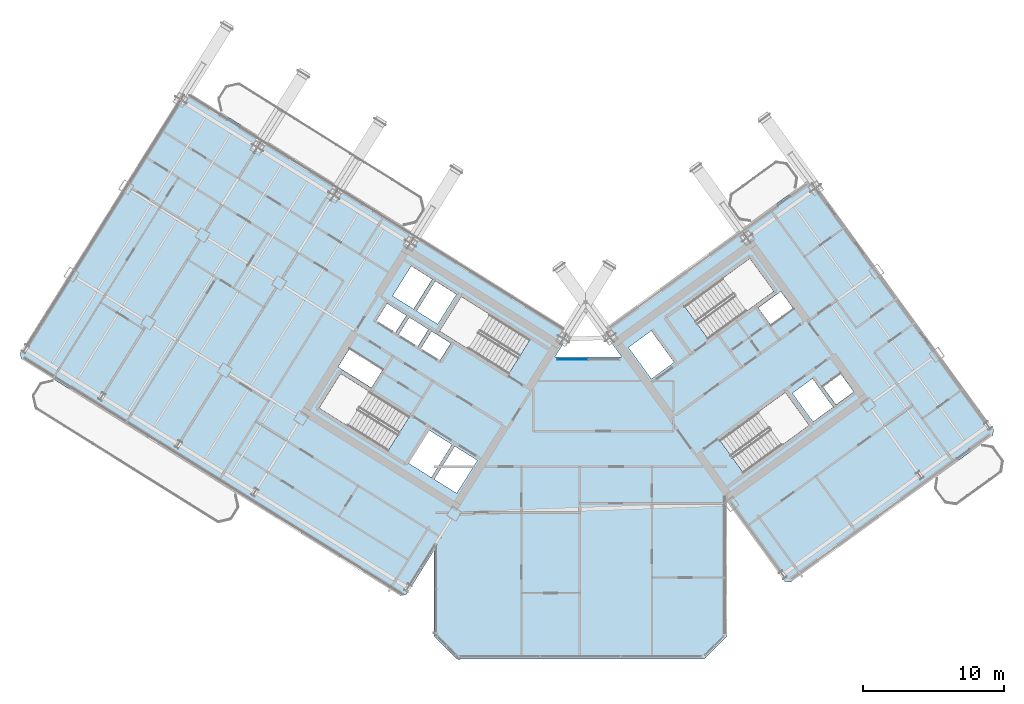
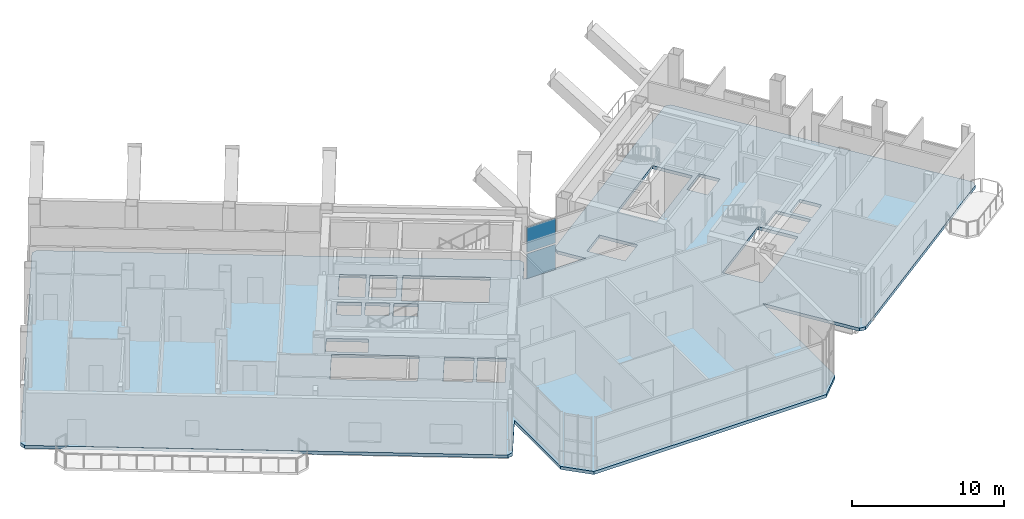
# One storey, part 15 of 34: 2 plates, 1 slab, 1 element without a shape of its own.
"""IFC4 building model written with IfcOpenShell, lengths in metres."""

from ifc_helpers import new_model, si_unit, direction, frame, origin, origin_2d, place, context, subcontext, project, spatial, polyline, rectangle, outline, extrude, source, transform, mapped, material, layer, layer_set, type_object, element, aggregate, save


model = new_model("IFC4")

# Units and contexts
model_context = context("Model", 3, precision=1e-05, world=origin(), true_north=direction((0.0, 1.0)))
body_context = subcontext(model_context, "Body", "Model", "MODEL_VIEW")
ifc_project = project(units=[si_unit("LENGTHUNIT", "METRE"), si_unit("AREAUNIT", "SQUARE_METRE"), si_unit("VOLUMEUNIT", "CUBIC_METRE"), si_unit("PLANEANGLEUNIT", "RADIAN"), si_unit("MASSUNIT", "GRAM", prefix="KILO")], contexts=[model_context])

# Site, building, storey
site_placement = place(None, origin())
site = spatial("IfcSite", under=ifc_project, at=site_placement, CompositionType="ELEMENT")
building_placement = place(site_placement, origin())
building = spatial("IfcBuilding", under=site, at=building_placement, Name="Tlacorven Tower", CompositionType="ELEMENT")
storey_placement = place(building_placement, frame((0.0, 0.0, 174.89990234375)))
storey = spatial("IfcBuildingStorey", under=building, at=storey_placement, Name="L44", CompositionType="ELEMENT", Elevation=174.89990234375)

# Slab
ifc_material_1 = material(Name="Concrete C40/50", Category="concrete")
ifc_layer_1 = layer(ifc_material_1, 0.25)
ifc_layer_set_1 = layer_set([ifc_layer_1], Name="Concrete C40/50")
slab_type = type_object("IfcSlabType", Name="SL-TWR-250", PredefinedType="FLOOR", material=ifc_layer_set_1)
slab_placement = place(storey_placement, frame((0.0, 0.0, -0.25)))
element("IfcSlab", 1, at=slab_placement, inside=storey, type_object=slab_type, Name="L44 Boomerang Tower Floor Slab", PredefinedType="FLOOR", context=body_context, shape_type="SweptSolid", body=[
    extrude(outline(polyline([(52.39990234375, 3.39990234375), (50.800048828125, 1.800048828125), (33.199951171875, 1.800048828125), (31.60009765625, 3.39990234375), (31.60009765625, 9.470703125), (29.652587890625, 6.35400390625), (29.2392578125, 6.258544921875), (2.339111328125, 23.067626953125), (2.24365234375, 23.481201171875), (13.75341796875, 41.900634765625), (14.1669921875, 41.99609375), (41.06689453125, 25.18701171875), (41.162353515625, 24.773681640625), (40.178955078125, 23.199951171875), (44.932373046875, 23.199951171875), (43.723876953125, 24.86328125), (43.790283203125, 25.2822265625), (58.1259765625, 35.69775390625), (58.545166015625, 35.63134765625), (71.311767578125, 18.0595703125), (71.245361328125, 17.640380859375), (56.90966796875, 7.224853515625), (56.49072265625, 7.291259765625), (52.39990234375, 12.921630859375), (52.39990234375, 3.39990234375)]), holes=[polyline([(29.865478515625, 18.979736328125), (24.9892578125, 22.02685546875), (23.463134765625, 19.58447265625), (28.33935546875, 16.537353515625), (29.865478515625, 18.979736328125)]), polyline([(38.4169921875, 24.4375), (33.540771484375, 27.484375), (32.0146484375, 25.0419921875), (36.890869140625, 21.9951171875), (38.4169921875, 24.4375)]), polyline([(51.05908203125, 24.481689453125), (55.7109375, 27.861572265625), (54.01806640625, 30.19140625), (49.3662109375, 26.811767578125), (51.05908203125, 24.481689453125)]), polyline([(53.56298828125, 14.978759765625), (58.21484375, 18.3583984375), (56.52197265625, 20.6884765625), (51.8701171875, 17.30859375), (53.56298828125, 14.978759765625)]), polyline([(34.682373046875, 15.87548828125), (33.088134765625, 16.871826171875), (31.62548828125, 14.531005859375), (33.2197265625, 13.534912109375), (34.682373046875, 15.87548828125)]), polyline([(32.884521484375, 16.9990234375), (31.2392578125, 18.02685546875), (29.77685546875, 15.686279296875), (31.421875, 14.658203125), (32.884521484375, 16.9990234375)]), polyline([(47.0234375, 21.648681640625), (48.6416015625, 22.82421875), (47.019287109375, 25.05712890625), (45.401123046875, 23.881591796875), (47.0234375, 21.648681640625)]), polyline([(33.197265625, 27.65185546875), (31.704833984375, 28.58447265625), (30.3798828125, 26.46435546875), (31.87255859375, 25.53173828125), (33.197265625, 27.65185546875)]), polyline([(31.484375, 28.722412109375), (29.99169921875, 29.655029296875), (28.6669921875, 27.534912109375), (30.159423828125, 26.602294921875), (31.484375, 28.722412109375)]), polyline([(32.794921875, 24.17724609375), (31.43798828125, 25.025146484375), (30.685546875, 23.82080078125), (32.042236328125, 22.972900390625), (32.794921875, 24.17724609375)]), polyline([(31.217529296875, 25.162841796875), (29.860595703125, 26.0107421875), (29.108154296875, 24.806396484375), (30.465087890625, 23.958740234375), (31.217529296875, 25.162841796875)]), polyline([(29.64013671875, 26.1484375), (28.283203125, 26.996337890625), (27.53076171875, 25.792236328125), (28.8876953125, 24.9443359375), (29.64013671875, 26.1484375)]), polyline([(58.498779296875, 18.614013671875), (59.922607421875, 19.648681640625), (58.453125, 21.671142578125), (57.029296875, 20.63671875), (58.498779296875, 18.614013671875)]), polyline([(27.96142578125, 22.2919921875), (25.603759765625, 23.76513671875), (24.80908203125, 22.4931640625), (27.16650390625, 21.02001953125), (27.96142578125, 22.2919921875)]), polyline([(55.490478515625, 25.4765625), (57.092529296875, 26.640380859375), (56.210693359375, 27.85400390625), (54.60888671875, 26.690185546875), (55.490478515625, 25.4765625)]), polyline([(60.12109375, 19.817626953125), (61.38330078125, 20.734619140625), (60.45458984375, 22.012939453125), (59.192626953125, 21.095947265625), (60.12109375, 19.817626953125)])]), origin(), (0.0, 0.0, 1.0), 0.25),
])

# Curtain wall, plates
ifc_material_2 = material(Name="Dark solar low-E double glazing in aluminium frame", Category="aluminium")
curtain_wall_type = type_object("IfcCurtainWallType", Name="CW-TWR-MID", PredefinedType="USERDEFINED", material=ifc_material_2)
curtain_wall_placement = place(storey_placement, origin())
curtain_wall = element("IfcCurtainWall", 2, at=curtain_wall_placement, inside=storey, type_object=curtain_wall_type, Name="L44 CW-TWR-MID Curtain Wall 207", ObjectType="UNITISED CURTAIN WALL", PredefinedType="USERDEFINED")
ifc_material_3 = material(Name="High-wind dark solar tempered low-E glazing", Category="glass")
ifc_layer_2 = layer(ifc_material_3, 0.028076171875)
ifc_layer_set_2 = layer_set([ifc_layer_2], Name="High-wind dark solar tempered low-E glazing")
plate_type = type_object("IfcPlateType", Name="CWP-03", PredefinedType="CURTAIN_PANEL", material=ifc_layer_set_2)
shared_shape = source(origin(), body_context, "Body", "SweptSolid", [
    extrude(rectangle(XDim=2.178466796875, YDim=0.028076171875, at=origin_2d()), origin(), (0.0, 0.0, 1.0), 1.988037109375),
])
plate_1_placement = place(storey_placement, frame((41.447998046875, 23.0400390625, 0.06103515625), z_axis=(0.0, 0.0, 1.0), x_axis=(1.0, 0.0, 0.0)))
plate_1 = element("IfcPlate", 3, at=plate_1_placement, type_object=plate_type, Name="CW-L44-207 Glazing Panel 1", PredefinedType="CURTAIN_PANEL", context=body_context, shape_type="MappedRepresentation", body=[
    mapped(shared_shape, transform((0.0, 0.0, 0.0), scale=1.0)),
])
plate_2_placement = place(storey_placement, frame((41.447998046875, 23.0400390625, 2.1708984375), z_axis=(0.0, 0.0, 1.0), x_axis=(1.0, 0.0, 0.0)))
plate_2 = element("IfcPlate", 4, at=plate_2_placement, type_object=plate_type, Name="CW-L44-207 Glazing Panel 2", PredefinedType="CURTAIN_PANEL", context=body_context, shape_type="MappedRepresentation", body=[
    mapped(shared_shape, transform((0.0, 0.0, 0.0), scale=1.0)),
])
aggregate(curtain_wall, [plate_1, plate_2])

save(model, "model.ifc")
